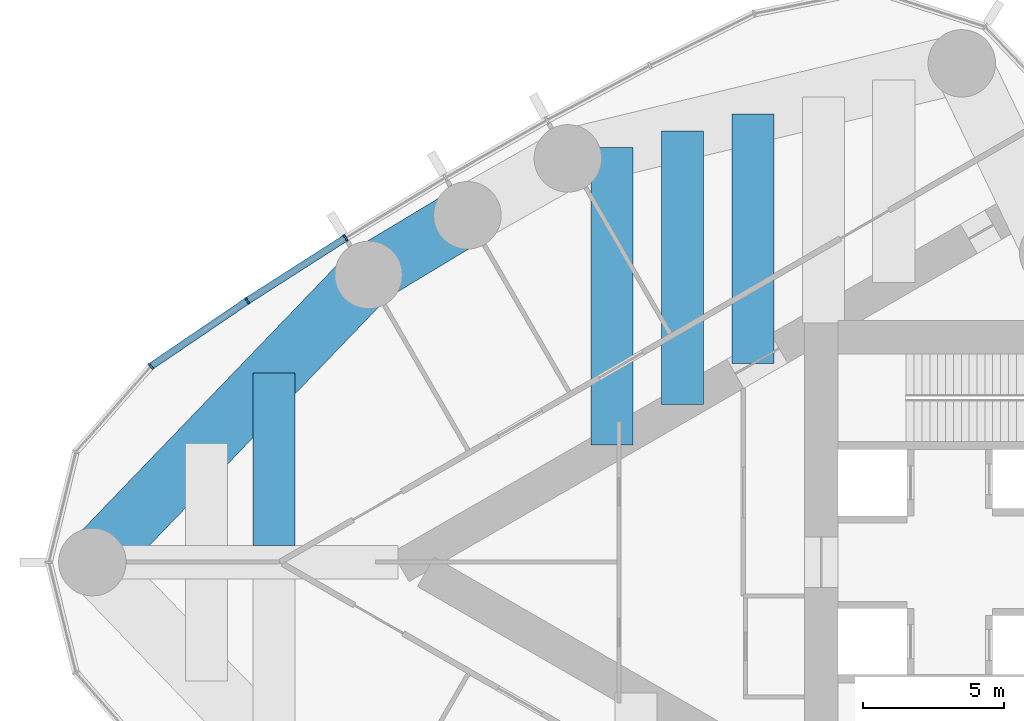
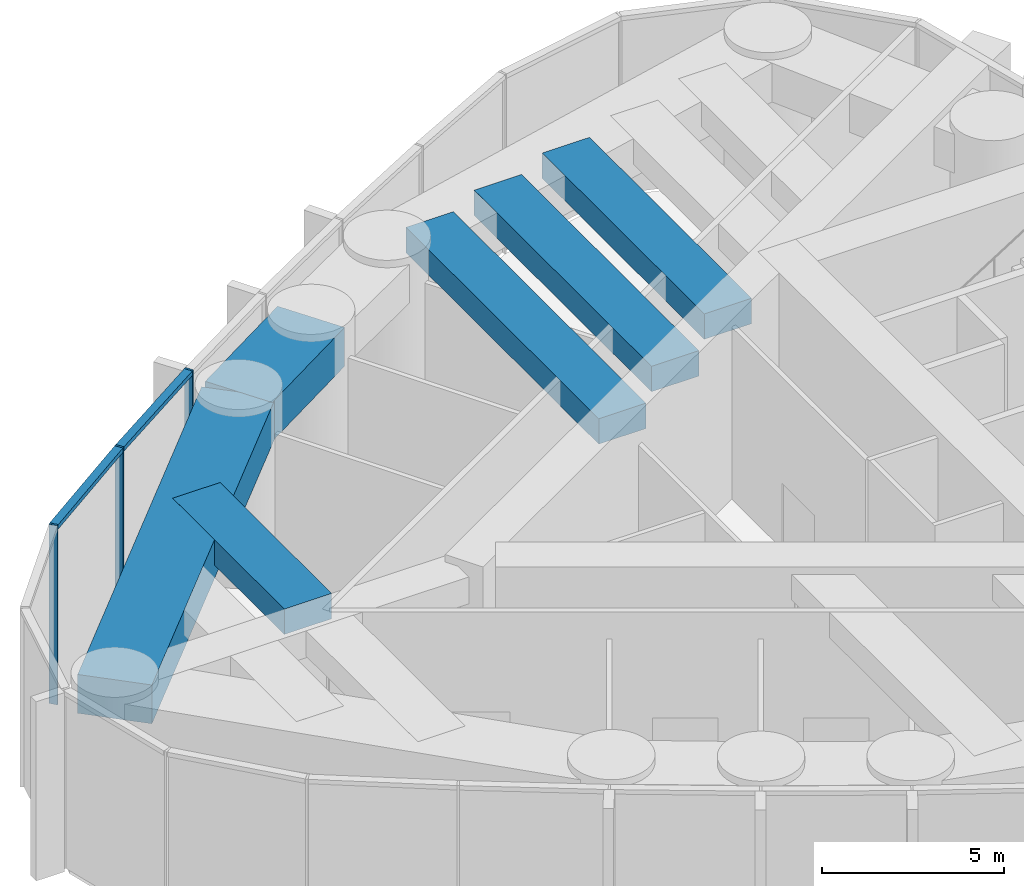
# One storey, part 4 of 21: 6 beams, 5 members, 1 element without a shape of its own.
"""IFC4 building model written with IfcOpenShell, lengths in metres."""

from ifc_helpers import new_model, si_unit, direction, frame, origin, origin_2d, place, context, subcontext, project, spatial, rectangle, extrude, material, material_profile, profile_set, type_object, element, aggregate, save


model = new_model("IFC4")

# Units and contexts
model_context = context("Model", 3, precision=1e-05, world=origin(), true_north=direction((0.0, 1.0)))
body_context = subcontext(model_context, "Body", "Model", "MODEL_VIEW")
ifc_project = project(units=[si_unit("LENGTHUNIT", "METRE"), si_unit("AREAUNIT", "SQUARE_METRE"), si_unit("VOLUMEUNIT", "CUBIC_METRE"), si_unit("PLANEANGLEUNIT", "RADIAN"), si_unit("MASSUNIT", "GRAM", prefix="KILO")], contexts=[model_context])

# Site, building, storey
site_placement = place(None, origin())
site = spatial("IfcSite", under=ifc_project, at=site_placement, CompositionType="ELEMENT")
building_placement = place(site_placement, origin())
building = spatial("IfcBuilding", under=site, at=building_placement, Name="Lancet Gate Hotel", CompositionType="ELEMENT")
storey_placement = place(building_placement, frame((0.0, 0.0, 257.300048828125)))
storey = spatial("IfcBuildingStorey", under=building, at=storey_placement, Name="L68", CompositionType="ELEMENT", Elevation=257.300048828125)

# Curtain wall, members
ifc_material_1 = material(Name="Aluminium curtain wall", Category="aluminium")
curtain_wall_type = type_object("IfcCurtainWallType", Name="Sky deck full-height glazing", PredefinedType="USERDEFINED", material=ifc_material_1)
curtain_wall_placement = place(storey_placement, origin())
curtain_wall = element("IfcCurtainWall", 1, at=curtain_wall_placement, inside=storey, type_object=curtain_wall_type, Name="T1 L68 curtain wall 1", ObjectType="UNITISED CURTAIN WALL", PredefinedType="USERDEFINED")
ifc_material_2 = material(Name="Aluminium mullion", Category="aluminium")
ifc_material_profile_1 = material_profile(ifc_material_2, rectangle(XDim=0.06494140625, YDim=0.25, at=origin_2d()), Name="MULLION 65x250")
ifc_profile_set_1 = profile_set([ifc_material_profile_1], Name="Aluminium mullion")
member_type_1 = type_object("IfcMemberType", Name="Aluminium mullion 65x250", PredefinedType="MULLION", material=ifc_profile_set_1)
member_1_placement = place(storey_placement, frame((-54.225830078125, 11.535400390625, 0.0), z_axis=(0.0, 0.0, 1.0), x_axis=(-0.849342388216, -0.527842313176, 0.0)))
member_1 = element("IfcMember", 2, at=member_1_placement, type_object=member_type_1, Name="T1 L68 curtain wall 1 mullion 9", PredefinedType="MULLION", context=body_context, shape_type="SweptSolid", body=[
    extrude(rectangle(XDim=0.06494140625, YDim=0.25, at=origin_2d()), origin(), (0.0, 0.0, 1.0), 6.0),
])
member_2_placement = place(storey_placement, frame((-57.72021484375, 9.298095703125, 0.0), z_axis=(0.0, 0.0, 1.0), x_axis=(-0.834827178542, -0.550512108829, 0.0)))
member_2 = element("IfcMember", 3, at=member_2_placement, type_object=member_type_1, Name="T1 L68 curtain wall 1 mullion 10", PredefinedType="MULLION", context=body_context, shape_type="SweptSolid", body=[
    extrude(rectangle(XDim=0.06494140625, YDim=0.25, at=origin_2d()), origin(), (0.0, 0.0, 1.0), 6.0),
])
member_3_placement = place(storey_placement, frame((-61.15283203125, 6.967529296875, 0.0), z_axis=(0.0, 0.0, 1.0), x_axis=(-0.750715604757, -0.660625522345, 0.0)))
member_3 = element("IfcMember", 4, at=member_3_placement, type_object=member_type_1, Name="T1 L68 curtain wall 1 mullion 11", PredefinedType="MULLION", context=body_context, shape_type="SweptSolid", body=[
    extrude(rectangle(XDim=0.06494140625, YDim=0.25, at=origin_2d()), origin(), (0.0, 0.0, 1.0), 6.0),
])
ifc_material_3 = material(Name="Aluminium transom", Category="aluminium")
ifc_material_profile_2 = material_profile(ifc_material_3, rectangle(XDim=0.25, YDim=0.14990234375, at=origin_2d()), Name="TRANSOM 250x150")
ifc_profile_set_2 = profile_set([ifc_material_profile_2], Name="Aluminium transom")
member_type_2 = type_object("IfcMemberType", Name="Aluminium transom 250x150", PredefinedType="USERDEFINED", material=ifc_profile_set_2)
member_4_placement = place(storey_placement, frame((-54.253173828125, 11.51806640625, 5.925048828125), z_axis=(-0.842144358733, -0.539252147937, 0.0), x_axis=(0.539252147937, -0.842144358733, 0.0)))
member_4 = element("IfcMember", 5, at=member_4_placement, type_object=member_type_2, Name="T1 L68 curtain wall 1 transom 9", ObjectType="TRANSOM", PredefinedType="USERDEFINED", context=body_context, shape_type="SweptSolid", body=[
    extrude(rectangle(XDim=0.25, YDim=0.14990234375, at=origin_2d()), origin(), (0.0, 0.0, 1.0), 4.084228515625),
])
member_5_placement = place(storey_placement, frame((-57.7470703125, 9.27978515625, 5.925048828125), z_axis=(-0.827348780456, -0.561688521761, 0.0), x_axis=(0.561688521761, -0.827348780456, 0.0)))
member_5 = element("IfcMember", 6, at=member_5_placement, type_object=member_type_2, Name="T1 L68 curtain wall 1 transom 10", ObjectType="TRANSOM", PredefinedType="USERDEFINED", context=body_context, shape_type="SweptSolid", body=[
    extrude(rectangle(XDim=0.25, YDim=0.14990234375, at=origin_2d()), origin(), (0.0, 0.0, 1.0), 4.083984375),
])
aggregate(curtain_wall, [member_1, member_2, member_3, member_4, member_5])

# Beams
ifc_material_4 = material(Name="Concrete C50/60", Category="concrete")
ifc_material_profile_3 = material_profile(ifc_material_4, rectangle(XDim=2.10009765625, YDim=1.300048828125, at=origin_2d()), Name="RC 2100x1300")
ifc_profile_set_3 = profile_set([ifc_material_profile_3], Name="Concrete C50/60")
beam_type_1 = type_object("IfcBeamType", Name="Edge beam RC 2100x1300", PredefinedType="SPANDREL", material=ifc_profile_set_3)
beam_1_placement = place(storey_placement, frame((-49.89013671875, 12.340087890625, 5.099853515625), z_axis=(-0.856358061538, -0.516382484636, 0.0), x_axis=(0.516382484636, -0.856358061538, 0.0)))
element("IfcBeam", 7, at=beam_1_placement, inside=storey, type_object=beam_type_1, Name="T1 edge beam EB1 L68", PredefinedType="SPANDREL", context=body_context, shape_type="SweptSolid", body=[
    extrude(rectangle(XDim=2.10009765625, YDim=1.300048828125, at=origin_2d()), origin(), (0.0, 0.0, 1.0), 4.107666015625),
])
beam_2_placement = place(storey_placement, frame((-53.40771484375, 10.218994140625, 5.099853515625), z_axis=(-0.693134527053, -0.720808245934, 0.0), x_axis=(0.720808245934, -0.693134527053, 0.0)))
element("IfcBeam", 8, at=beam_2_placement, inside=storey, type_object=beam_type_1, Name="T1 edge beam EB1 L68", PredefinedType="SPANDREL", context=body_context, shape_type="SweptSolid", body=[
    extrude(rectangle(XDim=2.10009765625, YDim=1.300048828125, at=origin_2d()), origin(), (0.0, 0.0, 1.0), 14.17724609375),
])
ifc_material_5 = material(Name="Concrete C50/60", Category="concrete")
ifc_material_profile_4 = material_profile(ifc_material_5, rectangle(XDim=1.5, YDim=0.85009765625, at=origin_2d()), Name="RC 1500x850")
ifc_profile_set_4 = profile_set([ifc_material_profile_4], Name="Concrete C50/60")
beam_type_2 = type_object("IfcBeamType", Name="Floor beam RC 1500x850", PredefinedType="BEAM", material=ifc_profile_set_4)
beam_3_placement = place(storey_placement, frame((-39.734130859375, 15.952880859375, 5.324951171875), z_axis=(0.0, -1.0, 0.0), x_axis=(1.0, 0.0, 0.0)))
element("IfcBeam", 9, at=beam_3_placement, inside=storey, type_object=beam_type_2, Name="T1 floor beam F05S L68", PredefinedType="BEAM", context=body_context, shape_type="SweptSolid", body=[
    extrude(rectangle(XDim=1.5, YDim=0.85009765625, at=origin_2d()), origin(), (0.0, 0.0, 1.0), 8.889404296875),
])
beam_4_placement = place(storey_placement, frame((-42.240966796875, 15.348388671875, 5.324951171875), z_axis=(0.0, -1.0, 0.0), x_axis=(1.0, 0.0, 0.0)))
element("IfcBeam", 10, at=beam_4_placement, inside=storey, type_object=beam_type_2, Name="T1 floor beam F06S L68", PredefinedType="BEAM", context=body_context, shape_type="SweptSolid", body=[
    extrude(rectangle(XDim=1.5, YDim=0.85009765625, at=origin_2d()), origin(), (0.0, 0.0, 1.0), 9.732421875),
])
beam_5_placement = place(storey_placement, frame((-44.747802734375, 14.743896484375, 5.324951171875), z_axis=(0.0, -1.0, 0.0), x_axis=(1.0, 0.0, 0.0)))
element("IfcBeam", 11, at=beam_5_placement, inside=storey, type_object=beam_type_2, Name="T1 floor beam F08S L68", PredefinedType="BEAM", context=body_context, shape_type="SweptSolid", body=[
    extrude(rectangle(XDim=1.5, YDim=0.85009765625, at=origin_2d()), origin(), (0.0, 0.0, 1.0), 10.5751953125),
])
beam_6_placement = place(storey_placement, frame((-56.768310546875, 6.72412109375, 5.324951171875), z_axis=(0.0, -1.0, 0.0), x_axis=(1.0, 0.0, 0.0)))
element("IfcBeam", 12, at=beam_6_placement, inside=storey, type_object=beam_type_2, Name="T1 floor beam F09S L68", PredefinedType="BEAM", context=body_context, shape_type="SweptSolid", body=[
    extrude(rectangle(XDim=1.5, YDim=0.85009765625, at=origin_2d()), origin(), (0.0, 0.0, 1.0), 6.1240234375),
])

save(model, "model.ifc")
